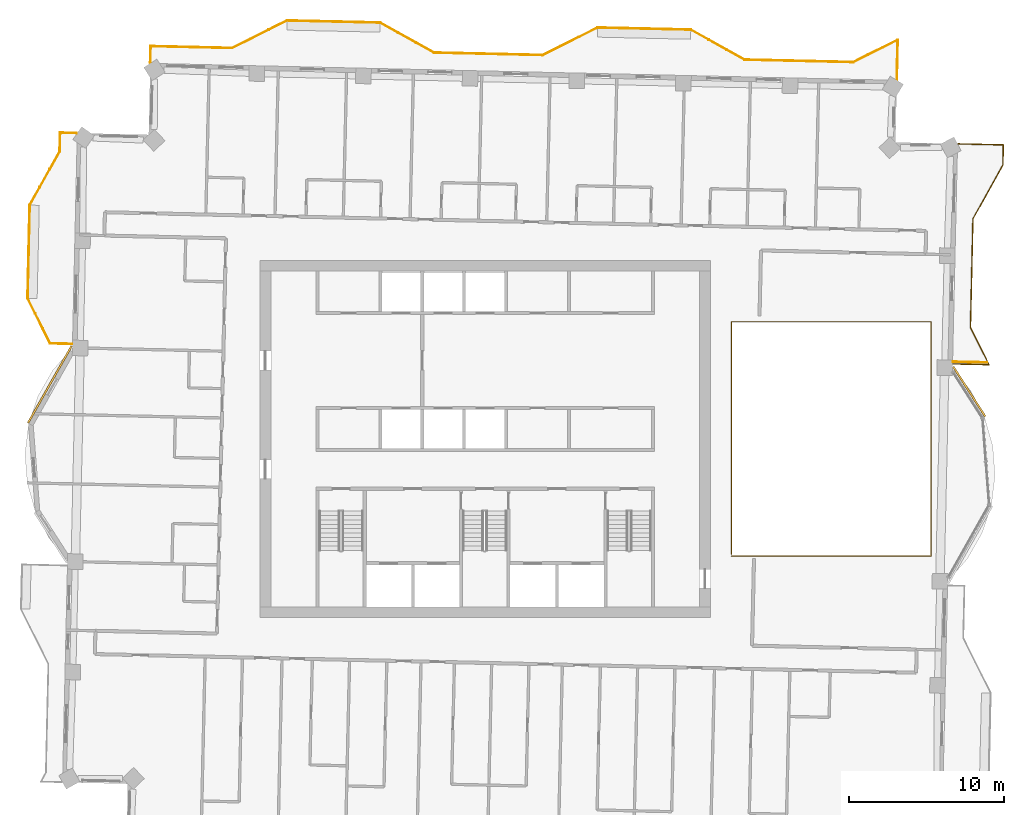
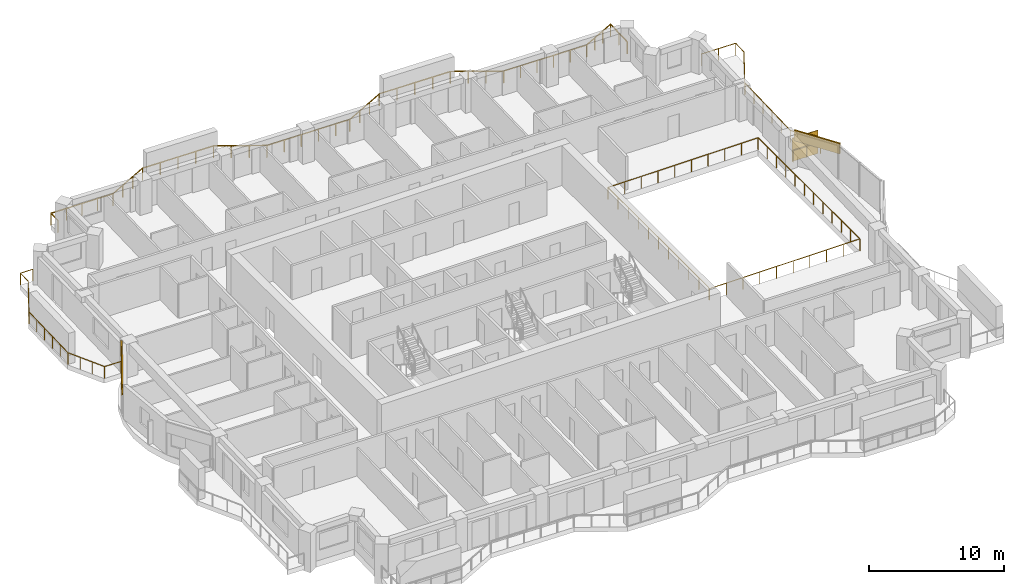
# One storey, part 17 of 17: 4 railings, 2 coverings, 1 shading device.
"""IFC4 building model written with IfcOpenShell, lengths in metres."""

from ifc_helpers import new_model, si_unit, direction, frame, frame_2d, origin, origin_2d, place, context, subcontext, project, spatial, rectangle, extrude, material, layer, layer_set, type_object, element, save


model = new_model("IFC4")

# Units and contexts
model_context = context("Model", 3, precision=1e-05, world=origin(), true_north=direction((0.0, 1.0)))
body_context = subcontext(model_context, "Body", "Model", "MODEL_VIEW")
ifc_project = project(units=[si_unit("LENGTHUNIT", "METRE"), si_unit("AREAUNIT", "SQUARE_METRE"), si_unit("VOLUMEUNIT", "CUBIC_METRE"), si_unit("PLANEANGLEUNIT", "RADIAN"), si_unit("MASSUNIT", "GRAM", prefix="KILO")], contexts=[model_context])

# Site, building, storey
site_placement = place(None, origin())
site = spatial("IfcSite", under=ifc_project, at=site_placement, CompositionType="ELEMENT")
building_placement = place(site_placement, origin())
building = spatial("IfcBuilding", under=site, at=building_placement, Name="Mangrove Gate Tower", CompositionType="ELEMENT")
storey_placement = place(building_placement, frame((0.0, 0.0, 268.10009765625)))
storey = spatial("IfcBuildingStorey", under=building, at=storey_placement, Name="L68", CompositionType="ELEMENT", Elevation=268.10009765625)

# Railings
ifc_material_1 = material(Name="Stainless steel grade 316 with laminated glass infill", Category="steel")
railing_type = type_object("IfcRailingType", Name="Balcony guard 1100", PredefinedType="GUARDRAIL", material=ifc_material_1)
railing_1_placement = place(storey_placement, frame((30.1298828125, 4.830078125, 0.0)))
element("IfcRailing", 1, at=railing_1_placement, inside=storey, type_object=railing_type, Name="GUARD L68 E2", PredefinedType="GUARDRAIL", context=body_context, shape_type="SweptSolid", body=[
    extrude(rectangle(XDim=0.048095703125, YDim=0.048095703125, at=origin_2d()), frame((0.0, 0.0, 1.076171875), z_axis=(0.9997382857, -0.022877065063, 0.0), x_axis=(0.022877065063, 0.9997382857, 0.0)), (0.0, 0.0, 1.0), 2.315673828125),
    extrude(rectangle(XDim=0.048095703125, YDim=0.048095703125, at=origin_2d()), frame((2.315185546875, -0.052978515625, 1.076171875), z_axis=(-0.447140888187, 0.894463540963, 0.0), x_axis=(-0.894463540963, -0.447140888187, 0.0)), (0.0, 0.0, 1.0), 2.686279296875),
    extrude(rectangle(XDim=0.048095703125, YDim=0.048095703125, at=origin_2d()), frame((1.114013671875, 2.349853515625, 1.076171875), z_axis=(0.022740419861, 0.999741403216, 0.0), x_axis=(-0.999741403216, 0.022740419861, 0.0)), (0.0, 0.0, 1.0), 6.999755859375),
    extrude(rectangle(XDim=0.048095703125, YDim=0.048095703125, at=origin_2d()), frame((1.273193359375, 9.347900390625, 1.076171875), z_axis=(0.48726008209, 0.87325689943, 0.0), x_axis=(-0.87325689943, 0.48726008209, 0.0)), (0.0, 0.0, 1.0), 3.958740234375),
    extrude(rectangle(XDim=0.048095703125, YDim=0.048095703125, at=origin_2d()), frame((3.2021484375, 12.804931640625, 1.076171875), z_axis=(0.0223418397, 0.999750389947, 0.0), x_axis=(-0.999750389947, 0.0223418397, 0.0)), (0.0, 0.0, 1.0), 1.30029296875),
    extrude(rectangle(XDim=0.048095703125, YDim=0.048095703125, at=origin_2d()), frame((3.231201171875, 14.10498046875, 1.076171875), z_axis=(-0.999743392495, 0.022652795902, 0.0), x_axis=(-0.022652795902, -0.999743392495, 0.0)), (0.0, 0.0, 1.0), 2.909912109375),
    extrude(rectangle(XDim=0.0419921875, YDim=0.0419921875, at=origin_2d()), origin(), (0.0, 0.0, 1.0), 1.052001953125),
    extrude(rectangle(XDim=0.0419921875, YDim=0.0419921875, at=origin_2d()), frame((1.15771484375, -0.0263671875, 0.0)), (0.0, 0.0, 1.0), 1.052001953125),
    extrude(rectangle(XDim=0.0419921875, YDim=0.0419921875, at=origin_2d()), frame((2.315185546875, -0.052978515625, 0.0)), (0.0, 0.0, 1.0), 1.052001953125),
    extrude(rectangle(XDim=0.0419921875, YDim=0.0419921875, at=origin_2d()), frame((1.714599609375, 1.1484375, 0.0)), (0.0, 0.0, 1.0), 1.052001953125),
    extrude(rectangle(XDim=0.0419921875, YDim=0.0419921875, at=origin_2d()), frame((1.114013671875, 2.349853515625, 0.0)), (0.0, 0.0, 1.0), 1.052001953125),
    extrude(rectangle(XDim=0.0419921875, YDim=0.0419921875, at=origin_2d()), frame((1.145751953125, 3.74951171875, 0.0)), (0.0, 0.0, 1.0), 1.052001953125),
    extrude(rectangle(XDim=0.0419921875, YDim=0.0419921875, at=origin_2d()), frame((1.177734375, 5.149169921875, 0.0)), (0.0, 0.0, 1.0), 1.052001953125),
    extrude(rectangle(XDim=0.0419921875, YDim=0.0419921875, at=origin_2d()), frame((1.20947265625, 6.548583984375, 0.0)), (0.0, 0.0, 1.0), 1.052001953125),
    extrude(rectangle(XDim=0.0419921875, YDim=0.0419921875, at=origin_2d()), frame((1.241455078125, 7.9482421875, 0.0)), (0.0, 0.0, 1.0), 1.052001953125),
    extrude(rectangle(XDim=0.0419921875, YDim=0.0419921875, at=origin_2d()), frame((1.273193359375, 9.347900390625, 0.0)), (0.0, 0.0, 1.0), 1.052001953125),
    extrude(rectangle(XDim=0.0419921875, YDim=0.0419921875, at=origin_2d()), frame((1.916259765625, 10.500244140625, 0.0)), (0.0, 0.0, 1.0), 1.052001953125),
    extrude(rectangle(XDim=0.0419921875, YDim=0.0419921875, at=origin_2d()), frame((2.55908203125, 11.652587890625, 0.0)), (0.0, 0.0, 1.0), 1.052001953125),
    extrude(rectangle(XDim=0.0419921875, YDim=0.0419921875, at=origin_2d()), frame((3.2021484375, 12.804931640625, 0.0)), (0.0, 0.0, 1.0), 1.052001953125),
    extrude(rectangle(XDim=0.0419921875, YDim=0.0419921875, at=origin_2d()), frame((3.231201171875, 14.10498046875, 0.0)), (0.0, 0.0, 1.0), 1.052001953125),
    extrude(rectangle(XDim=0.0419921875, YDim=0.0419921875, at=origin_2d()), frame((1.776611328125, 14.137939453125, 0.0)), (0.0, 0.0, 1.0), 1.052001953125),
    extrude(rectangle(XDim=0.0419921875, YDim=0.0419921875, at=origin_2d()), frame((0.322021484375, 14.1708984375, 0.0)), (0.0, 0.0, 1.0), 1.052001953125),
])
railing_2_placement = place(storey_placement, frame((26.5048828125, 23.131103515625, 0.0)))
element("IfcRailing", 2, at=railing_2_placement, inside=storey, type_object=railing_type, Name="GUARD L68 N1", PredefinedType="GUARDRAIL", context=body_context, shape_type="SweptSolid", body=[
    extrude(rectangle(XDim=0.048095703125, YDim=0.048095703125, at=origin_2d()), frame((0.0, 0.0, 1.076171875), z_axis=(0.022701904617, 0.999742278553, 0.0), x_axis=(-0.999742278553, 0.022701904617, 0.0)), (0.0, 0.0, 1.0), 2.5595703125),
    extrude(rectangle(XDim=0.048095703125, YDim=0.048095703125, at=origin_2d()), frame((0.05810546875, 2.558837890625, 1.076171875), z_axis=(-0.894411972924, -0.447244030357, 0.0), x_axis=(0.447244030357, -0.894411972924, 0.0)), (0.0, 0.0, 1.0), 3.208740234375),
    extrude(rectangle(XDim=0.048095703125, YDim=0.048095703125, at=origin_2d()), frame((-2.811767578125, 1.123779296875, 1.076171875), z_axis=(-0.999741403216, 0.022740419861, 0.0), x_axis=(-0.022740419861, -0.999741403216, 0.0)), (0.0, 0.0, 1.0), 6.999755859375),
    extrude(rectangle(XDim=0.048095703125, YDim=0.048095703125, at=origin_2d()), frame((-9.809814453125, 1.282958984375, 1.076171875), z_axis=(-0.87325689943, 0.48726008209, 0.0), x_axis=(-0.48726008209, -0.87325689943, 0.0)), (0.0, 0.0, 1.0), 3.958740234375),
    extrude(rectangle(XDim=0.048095703125, YDim=0.048095703125, at=origin_2d()), frame((-13.266845703125, 3.2119140625, 1.076171875), z_axis=(-0.999743094499, 0.022665943652, 0.0), x_axis=(-0.022665943652, -0.999743094499, 0.0)), (0.0, 0.0, 1.0), 5.99951171875),
    extrude(rectangle(XDim=0.048095703125, YDim=0.048095703125, at=origin_2d()), frame((-19.264892578125, 3.347900390625, 1.076171875), z_axis=(-0.894525821107, -0.447016280881, 0.0), x_axis=(0.447016280881, -0.894525821107, 0.0)), (0.0, 0.0, 1.0), 3.959716796875),
    extrude(rectangle(XDim=0.048095703125, YDim=0.048095703125, at=origin_2d()), frame((-22.806884765625, 1.577880859375, 1.076171875), z_axis=(-0.999744665362, 0.022596550164, 0.0), x_axis=(-0.022596550164, -0.999744665362, 0.0)), (0.0, 0.0, 1.0), 1.19921875),
    extrude(rectangle(XDim=0.048095703125, YDim=0.048095703125, at=origin_2d()), frame((-24.005859375, 1.60498046875, 1.076171875), z_axis=(-0.99974168342, 0.022728097884, 0.0), x_axis=(-0.022728097884, -0.99974168342, 0.0)), (0.0, 0.0, 1.0), 5.800537109375),
    extrude(rectangle(XDim=0.048095703125, YDim=0.048095703125, at=origin_2d()), frame((-29.804931640625, 1.73681640625, 1.076171875), z_axis=(-0.873230657876, 0.487307108654, 0.0), x_axis=(-0.487307108654, -0.873230657876, 0.0)), (0.0, 0.0, 1.0), 3.958984375),
    extrude(rectangle(XDim=0.048095703125, YDim=0.048095703125, at=origin_2d()), frame((-33.261962890625, 3.666015625, 1.076171875), z_axis=(-0.999743073592, 0.022666865795, 0.0), x_axis=(-0.022666865795, -0.999743073592, 0.0)), (0.0, 0.0, 1.0), 5.999267578125),
    extrude(rectangle(XDim=0.048095703125, YDim=0.048095703125, at=origin_2d()), frame((-39.259765625, 3.802001953125, 1.076171875), z_axis=(-0.894476522376, -0.447114919141, 0.0), x_axis=(0.447114919141, -0.894476522376, 0.0)), (0.0, 0.0, 1.0), 3.958740234375),
    extrude(rectangle(XDim=0.048095703125, YDim=0.048095703125, at=origin_2d()), frame((-42.80078125, 2.031982421875, 1.076171875), z_axis=(-0.999742196466, 0.022705519269, 0.0), x_axis=(-0.022705519269, -0.999742196466, 0.0)), (0.0, 0.0, 1.0), 5.236572265625),
    extrude(rectangle(XDim=0.048095703125, YDim=0.048095703125, at=origin_2d()), frame((-48.035888671875, 2.15087890625, 1.076171875), z_axis=(-0.022564497502, -0.999745389313, 0.0), x_axis=(0.999745389313, -0.022564497502, 0.0)), (0.0, 0.0, 1.0), 1.060302734375),
    extrude(rectangle(XDim=0.0419921875, YDim=0.0419921875, at=origin_2d()), origin(), (0.0, 0.0, 1.0), 1.052001953125),
    extrude(rectangle(XDim=0.0419921875, YDim=0.0419921875, at=origin_2d()), frame((0.029052734375, 1.279296875, 0.0)), (0.0, 0.0, 1.0), 1.052001953125),
    extrude(rectangle(XDim=0.0419921875, YDim=0.0419921875, at=origin_2d()), frame((0.05810546875, 2.558837890625, 0.0)), (0.0, 0.0, 1.0), 1.052001953125),
    extrude(rectangle(XDim=0.0419921875, YDim=0.0419921875, at=origin_2d()), frame((-0.8984375, 2.08056640625, 0.0)), (0.0, 0.0, 1.0), 1.052001953125),
    extrude(rectangle(XDim=0.0419921875, YDim=0.0419921875, at=origin_2d()), frame((-1.855224609375, 1.60205078125, 0.0)), (0.0, 0.0, 1.0), 1.052001953125),
    extrude(rectangle(XDim=0.0419921875, YDim=0.0419921875, at=origin_2d()), frame((-2.811767578125, 1.123779296875, 0.0)), (0.0, 0.0, 1.0), 1.052001953125),
    extrude(rectangle(XDim=0.0419921875, YDim=0.0419921875, at=origin_2d()), frame((-4.21142578125, 1.155517578125, 0.0)), (0.0, 0.0, 1.0), 1.052001953125),
    extrude(rectangle(XDim=0.0419921875, YDim=0.0419921875, at=origin_2d()), frame((-5.611083984375, 1.1875, 0.0)), (0.0, 0.0, 1.0), 1.052001953125),
    extrude(rectangle(XDim=0.0419921875, YDim=0.0419921875, at=origin_2d()), frame((-7.010498046875, 1.21923828125, 0.0)), (0.0, 0.0, 1.0), 1.052001953125),
    extrude(rectangle(XDim=0.0419921875, YDim=0.0419921875, at=origin_2d()), frame((-8.41015625, 1.251220703125, 0.0)), (0.0, 0.0, 1.0), 1.052001953125),
    extrude(rectangle(XDim=0.0419921875, YDim=0.0419921875, at=origin_2d()), frame((-9.809814453125, 1.282958984375, 0.0)), (0.0, 0.0, 1.0), 1.052001953125),
    extrude(rectangle(XDim=0.0419921875, YDim=0.0419921875, at=origin_2d()), frame((-10.962158203125, 1.926025390625, 0.0)), (0.0, 0.0, 1.0), 1.052001953125),
    extrude(rectangle(XDim=0.0419921875, YDim=0.0419921875, at=origin_2d()), frame((-12.114501953125, 2.56884765625, 0.0)), (0.0, 0.0, 1.0), 1.052001953125),
    extrude(rectangle(XDim=0.0419921875, YDim=0.0419921875, at=origin_2d()), frame((-13.266845703125, 3.2119140625, 0.0)), (0.0, 0.0, 1.0), 1.052001953125),
    extrude(rectangle(XDim=0.0419921875, YDim=0.0419921875, at=origin_2d()), frame((-14.766357421875, 3.245849609375, 0.0)), (0.0, 0.0, 1.0), 1.052001953125),
    extrude(rectangle(XDim=0.0419921875, YDim=0.0419921875, at=origin_2d()), frame((-16.265869140625, 3.27978515625, 0.0)), (0.0, 0.0, 1.0), 1.052001953125),
    extrude(rectangle(XDim=0.0419921875, YDim=0.0419921875, at=origin_2d()), frame((-17.765380859375, 3.31396484375, 0.0)), (0.0, 0.0, 1.0), 1.052001953125),
    extrude(rectangle(XDim=0.0419921875, YDim=0.0419921875, at=origin_2d()), frame((-19.264892578125, 3.347900390625, 0.0)), (0.0, 0.0, 1.0), 1.052001953125),
    extrude(rectangle(XDim=0.0419921875, YDim=0.0419921875, at=origin_2d()), frame((-20.445556640625, 2.7578125, 0.0)), (0.0, 0.0, 1.0), 1.052001953125),
    extrude(rectangle(XDim=0.0419921875, YDim=0.0419921875, at=origin_2d()), frame((-21.626220703125, 2.16796875, 0.0)), (0.0, 0.0, 1.0), 1.052001953125),
    extrude(rectangle(XDim=0.0419921875, YDim=0.0419921875, at=origin_2d()), frame((-22.806884765625, 1.577880859375, 0.0)), (0.0, 0.0, 1.0), 1.052001953125),
    extrude(rectangle(XDim=0.0419921875, YDim=0.0419921875, at=origin_2d()), frame((-24.005859375, 1.60498046875, 0.0)), (0.0, 0.0, 1.0), 1.052001953125),
    extrude(rectangle(XDim=0.0419921875, YDim=0.0419921875, at=origin_2d()), frame((-25.45556640625, 1.637939453125, 0.0)), (0.0, 0.0, 1.0), 1.052001953125),
    extrude(rectangle(XDim=0.0419921875, YDim=0.0419921875, at=origin_2d()), frame((-26.9052734375, 1.6708984375, 0.0)), (0.0, 0.0, 1.0), 1.052001953125),
    extrude(rectangle(XDim=0.0419921875, YDim=0.0419921875, at=origin_2d()), frame((-28.355224609375, 1.703857421875, 0.0)), (0.0, 0.0, 1.0), 1.052001953125),
    extrude(rectangle(XDim=0.0419921875, YDim=0.0419921875, at=origin_2d()), frame((-29.804931640625, 1.73681640625, 0.0)), (0.0, 0.0, 1.0), 1.052001953125),
    extrude(rectangle(XDim=0.0419921875, YDim=0.0419921875, at=origin_2d()), frame((-30.957275390625, 2.3798828125, 0.0)), (0.0, 0.0, 1.0), 1.052001953125),
    extrude(rectangle(XDim=0.0419921875, YDim=0.0419921875, at=origin_2d()), frame((-32.109619140625, 3.02294921875, 0.0)), (0.0, 0.0, 1.0), 1.052001953125),
    extrude(rectangle(XDim=0.0419921875, YDim=0.0419921875, at=origin_2d()), frame((-33.261962890625, 3.666015625, 0.0)), (0.0, 0.0, 1.0), 1.052001953125),
    extrude(rectangle(XDim=0.0419921875, YDim=0.0419921875, at=origin_2d()), frame((-34.761474609375, 3.699951171875, 0.0)), (0.0, 0.0, 1.0), 1.052001953125),
    extrude(rectangle(XDim=0.0419921875, YDim=0.0419921875, at=origin_2d()), frame((-36.2607421875, 3.73388671875, 0.0)), (0.0, 0.0, 1.0), 1.052001953125),
    extrude(rectangle(XDim=0.0419921875, YDim=0.0419921875, at=origin_2d()), frame((-37.76025390625, 3.76806640625, 0.0)), (0.0, 0.0, 1.0), 1.052001953125),
    extrude(rectangle(XDim=0.0419921875, YDim=0.0419921875, at=origin_2d()), frame((-39.259765625, 3.802001953125, 0.0)), (0.0, 0.0, 1.0), 1.052001953125),
    extrude(rectangle(XDim=0.0419921875, YDim=0.0419921875, at=origin_2d()), frame((-40.440185546875, 3.2119140625, 0.0)), (0.0, 0.0, 1.0), 1.052001953125),
    extrude(rectangle(XDim=0.0419921875, YDim=0.0419921875, at=origin_2d()), frame((-41.620361328125, 2.6220703125, 0.0)), (0.0, 0.0, 1.0), 1.052001953125),
    extrude(rectangle(XDim=0.0419921875, YDim=0.0419921875, at=origin_2d()), frame((-42.80078125, 2.031982421875, 0.0)), (0.0, 0.0, 1.0), 1.052001953125),
    extrude(rectangle(XDim=0.0419921875, YDim=0.0419921875, at=origin_2d()), frame((-44.109619140625, 2.061767578125, 0.0)), (0.0, 0.0, 1.0), 1.052001953125),
    extrude(rectangle(XDim=0.0419921875, YDim=0.0419921875, at=origin_2d()), frame((-45.41845703125, 2.09130859375, 0.0)), (0.0, 0.0, 1.0), 1.052001953125),
    extrude(rectangle(XDim=0.0419921875, YDim=0.0419921875, at=origin_2d()), frame((-46.72705078125, 2.12109375, 0.0)), (0.0, 0.0, 1.0), 1.052001953125),
    extrude(rectangle(XDim=0.0419921875, YDim=0.0419921875, at=origin_2d()), frame((-48.035888671875, 2.15087890625, 0.0)), (0.0, 0.0, 1.0), 1.052001953125),
    extrude(rectangle(XDim=0.0419921875, YDim=0.0419921875, at=origin_2d()), frame((-48.059814453125, 1.0908203125, 0.0)), (0.0, 0.0, 1.0), 1.052001953125),
])
railing_3_placement = place(storey_placement, frame((-26.299072265625, 19.68896484375, 0.0)))
element("IfcRailing", 3, at=railing_3_placement, inside=storey, type_object=railing_type, Name="GUARD L68 W1", PredefinedType="GUARDRAIL", context=body_context, shape_type="SweptSolid", body=[
    extrude(rectangle(XDim=0.048095703125, YDim=0.048095703125, at=origin_2d()), frame((0.0, 0.0, 1.076171875), z_axis=(-0.999765634628, 0.021648921828, 0.0), x_axis=(-0.021648921828, -0.999765634628, 0.0)), (0.0, 0.0, 1.0), 1.06005859375),
    extrude(rectangle(XDim=0.048095703125, YDim=0.048095703125, at=origin_2d()), frame((-1.059814453125, 0.02294921875, 1.076171875), z_axis=(-0.022596550164, -0.999744665362, 0.0), x_axis=(0.999744665362, -0.022596550164, 0.0)), (0.0, 0.0, 1.0), 1.19921875),
    extrude(rectangle(XDim=0.048095703125, YDim=0.048095703125, at=origin_2d()), frame((-1.0869140625, -1.176025390625, 1.076171875), z_axis=(-0.48726008209, -0.87325689943, 0.0), x_axis=(0.87325689943, -0.48726008209, 0.0)), (0.0, 0.0, 1.0), 3.958740234375),
    extrude(rectangle(XDim=0.048095703125, YDim=0.048095703125, at=origin_2d()), frame((-3.015869140625, -4.633056640625, 1.076171875), z_axis=(-0.022662255828, -0.999743178102, 0.0), x_axis=(0.999743178102, -0.022662255828, 0.0)), (0.0, 0.0, 1.0), 6.00048828125),
    extrude(rectangle(XDim=0.048095703125, YDim=0.048095703125, at=origin_2d()), frame((-3.15185546875, -10.632080078125, 1.076171875), z_axis=(0.447183557729, -0.894442209255, 0.0), x_axis=(0.894442209255, 0.447183557729, 0.0)), (0.0, 0.0, 1.0), 3.251220703125),
    extrude(rectangle(XDim=0.048095703125, YDim=0.048095703125, at=origin_2d()), frame((-1.697998046875, -13.5400390625, 1.076171875), z_axis=(0.999735451499, -0.023000587311, 0.0), x_axis=(0.023000587311, 0.999735451499, 0.0)), (0.0, 0.0, 1.0), 1.390625),
    extrude(rectangle(XDim=0.0419921875, YDim=0.0419921875, at=origin_2d()), origin(), (0.0, 0.0, 1.0), 1.052001953125),
    extrude(rectangle(XDim=0.0419921875, YDim=0.0419921875, at=origin_2d()), frame((-1.059814453125, 0.02294921875, 0.0)), (0.0, 0.0, 1.0), 1.052001953125),
    extrude(rectangle(XDim=0.0419921875, YDim=0.0419921875, at=origin_2d()), frame((-1.0869140625, -1.176025390625, 0.0)), (0.0, 0.0, 1.0), 1.052001953125),
    extrude(rectangle(XDim=0.0419921875, YDim=0.0419921875, at=origin_2d()), frame((-1.72998046875, -2.328369140625, 0.0)), (0.0, 0.0, 1.0), 1.052001953125),
    extrude(rectangle(XDim=0.0419921875, YDim=0.0419921875, at=origin_2d()), frame((-2.372802734375, -3.480712890625, 0.0)), (0.0, 0.0, 1.0), 1.052001953125),
    extrude(rectangle(XDim=0.0419921875, YDim=0.0419921875, at=origin_2d()), frame((-3.015869140625, -4.633056640625, 0.0)), (0.0, 0.0, 1.0), 1.052001953125),
    extrude(rectangle(XDim=0.0419921875, YDim=0.0419921875, at=origin_2d()), frame((-3.04296875, -5.832763671875, 0.0)), (0.0, 0.0, 1.0), 1.052001953125),
    extrude(rectangle(XDim=0.0419921875, YDim=0.0419921875, at=origin_2d()), frame((-3.0703125, -7.03271484375, 0.0)), (0.0, 0.0, 1.0), 1.052001953125),
    extrude(rectangle(XDim=0.0419921875, YDim=0.0419921875, at=origin_2d()), frame((-3.097412109375, -8.232421875, 0.0)), (0.0, 0.0, 1.0), 1.052001953125),
    extrude(rectangle(XDim=0.0419921875, YDim=0.0419921875, at=origin_2d()), frame((-3.124755859375, -9.432373046875, 0.0)), (0.0, 0.0, 1.0), 1.052001953125),
    extrude(rectangle(XDim=0.0419921875, YDim=0.0419921875, at=origin_2d()), frame((-3.15185546875, -10.632080078125, 0.0)), (0.0, 0.0, 1.0), 1.052001953125),
    extrude(rectangle(XDim=0.0419921875, YDim=0.0419921875, at=origin_2d()), frame((-2.667236328125, -11.601318359375, 0.0)), (0.0, 0.0, 1.0), 1.052001953125),
    extrude(rectangle(XDim=0.0419921875, YDim=0.0419921875, at=origin_2d()), frame((-2.1826171875, -12.57080078125, 0.0)), (0.0, 0.0, 1.0), 1.052001953125),
    extrude(rectangle(XDim=0.0419921875, YDim=0.0419921875, at=origin_2d()), frame((-1.697998046875, -13.5400390625, 0.0)), (0.0, 0.0, 1.0), 1.052001953125),
    extrude(rectangle(XDim=0.0419921875, YDim=0.0419921875, at=origin_2d()), frame((-0.307861328125, -13.572021484375, 0.0)), (0.0, 0.0, 1.0), 1.052001953125),
])
railing_4_placement = place(storey_placement, frame((15.860107421875, -7.5400390625, 0.0)))
element("IfcRailing", 4, at=railing_4_placement, inside=storey, type_object=railing_type, Name="GUARD L68 atrium", PredefinedType="GUARDRAIL", context=body_context, shape_type="SweptSolid", body=[
    extrude(rectangle(XDim=0.048095703125, YDim=0.048095703125, at=origin_2d()), frame((0.0, 0.0, 1.076171875), z_axis=(1.0, 0.0, 0.0), x_axis=(0.0, 1.0, 0.0)), (0.0, 0.0, 1.0), 12.8388671875),
    extrude(rectangle(XDim=0.048095703125, YDim=0.048095703125, at=origin_2d()), frame((12.8388671875, 0.0, 1.076171875), z_axis=(0.0, 1.0, 0.0), x_axis=(-1.0, 0.0, 0.0)), (0.0, 0.0, 1.0), 15.080078125),
    extrude(rectangle(XDim=0.048095703125, YDim=0.048095703125, at=origin_2d()), frame((12.8388671875, 15.080078125, 1.076171875), z_axis=(-1.0, 0.0, 0.0), x_axis=(0.0, -1.0, 0.0)), (0.0, 0.0, 1.0), 12.8388671875),
    extrude(rectangle(XDim=0.048095703125, YDim=0.048095703125, at=origin_2d()), frame((0.0, 15.080078125, 1.076171875), z_axis=(0.0, -1.0, 0.0), x_axis=(1.0, 0.0, 0.0)), (0.0, 0.0, 1.0), 14.9599609375),
    extrude(rectangle(XDim=0.0419921875, YDim=0.0419921875, at=origin_2d()), origin(), (0.0, 0.0, 1.0), 1.052001953125),
    extrude(rectangle(XDim=0.0419921875, YDim=0.0419921875, at=origin_2d()), frame((1.426513671875, 0.0, 0.0)), (0.0, 0.0, 1.0), 1.052001953125),
    extrude(rectangle(XDim=0.0419921875, YDim=0.0419921875, at=origin_2d()), frame((2.85302734375, 0.0, 0.0)), (0.0, 0.0, 1.0), 1.052001953125),
    extrude(rectangle(XDim=0.0419921875, YDim=0.0419921875, at=origin_2d()), frame((4.279541015625, 0.0, 0.0)), (0.0, 0.0, 1.0), 1.052001953125),
    extrude(rectangle(XDim=0.0419921875, YDim=0.0419921875, at=origin_2d()), frame((5.7060546875, 0.0, 0.0)), (0.0, 0.0, 1.0), 1.052001953125),
    extrude(rectangle(XDim=0.0419921875, YDim=0.0419921875, at=origin_2d()), frame((7.1328125, 0.0, 0.0)), (0.0, 0.0, 1.0), 1.052001953125),
    extrude(rectangle(XDim=0.0419921875, YDim=0.0419921875, at=origin_2d()), frame((8.559326171875, 0.0, 0.0)), (0.0, 0.0, 1.0), 1.052001953125),
    extrude(rectangle(XDim=0.0419921875, YDim=0.0419921875, at=origin_2d()), frame((9.98583984375, 0.0, 0.0)), (0.0, 0.0, 1.0), 1.052001953125),
    extrude(rectangle(XDim=0.0419921875, YDim=0.0419921875, at=origin_2d()), frame((11.412353515625, 0.0, 0.0)), (0.0, 0.0, 1.0), 1.052001953125),
    extrude(rectangle(XDim=0.0419921875, YDim=0.0419921875, at=origin_2d()), frame((12.8388671875, 0.0, 0.0)), (0.0, 0.0, 1.0), 1.052001953125),
    extrude(rectangle(XDim=0.0419921875, YDim=0.0419921875, at=origin_2d()), frame((12.8388671875, 1.370849609375, 0.0)), (0.0, 0.0, 1.0), 1.052001953125),
    extrude(rectangle(XDim=0.0419921875, YDim=0.0419921875, at=origin_2d()), frame((12.8388671875, 2.741943359375, 0.0)), (0.0, 0.0, 1.0), 1.052001953125),
    extrude(rectangle(XDim=0.0419921875, YDim=0.0419921875, at=origin_2d()), frame((12.8388671875, 4.11279296875, 0.0)), (0.0, 0.0, 1.0), 1.052001953125),
    extrude(rectangle(XDim=0.0419921875, YDim=0.0419921875, at=origin_2d()), frame((12.8388671875, 5.483642578125, 0.0)), (0.0, 0.0, 1.0), 1.052001953125),
    extrude(rectangle(XDim=0.0419921875, YDim=0.0419921875, at=origin_2d()), frame((12.8388671875, 6.8544921875, 0.0)), (0.0, 0.0, 1.0), 1.052001953125),
    extrude(rectangle(XDim=0.0419921875, YDim=0.0419921875, at=origin_2d()), frame((12.8388671875, 8.2255859375, 0.0)), (0.0, 0.0, 1.0), 1.052001953125),
    extrude(rectangle(XDim=0.0419921875, YDim=0.0419921875, at=origin_2d()), frame((12.8388671875, 9.596435546875, 0.0)), (0.0, 0.0, 1.0), 1.052001953125),
    extrude(rectangle(XDim=0.0419921875, YDim=0.0419921875, at=origin_2d()), frame((12.8388671875, 10.96728515625, 0.0)), (0.0, 0.0, 1.0), 1.052001953125),
    extrude(rectangle(XDim=0.0419921875, YDim=0.0419921875, at=origin_2d()), frame((12.8388671875, 12.338134765625, 0.0)), (0.0, 0.0, 1.0), 1.052001953125),
    extrude(rectangle(XDim=0.0419921875, YDim=0.0419921875, at=origin_2d()), frame((12.8388671875, 13.709228515625, 0.0)), (0.0, 0.0, 1.0), 1.052001953125),
    extrude(rectangle(XDim=0.0419921875, YDim=0.0419921875, at=origin_2d()), frame((12.8388671875, 15.080078125, 0.0)), (0.0, 0.0, 1.0), 1.052001953125),
    extrude(rectangle(XDim=0.0419921875, YDim=0.0419921875, at=origin_2d()), frame((11.412353515625, 15.080078125, 0.0)), (0.0, 0.0, 1.0), 1.052001953125),
    extrude(rectangle(XDim=0.0419921875, YDim=0.0419921875, at=origin_2d()), frame((9.98583984375, 15.080078125, 0.0)), (0.0, 0.0, 1.0), 1.052001953125),
    extrude(rectangle(XDim=0.0419921875, YDim=0.0419921875, at=origin_2d()), frame((8.559326171875, 15.080078125, 0.0)), (0.0, 0.0, 1.0), 1.052001953125),
    extrude(rectangle(XDim=0.0419921875, YDim=0.0419921875, at=origin_2d()), frame((7.1328125, 15.080078125, 0.0)), (0.0, 0.0, 1.0), 1.052001953125),
    extrude(rectangle(XDim=0.0419921875, YDim=0.0419921875, at=origin_2d()), frame((5.7060546875, 15.080078125, 0.0)), (0.0, 0.0, 1.0), 1.052001953125),
    extrude(rectangle(XDim=0.0419921875, YDim=0.0419921875, at=origin_2d()), frame((4.279541015625, 15.080078125, 0.0)), (0.0, 0.0, 1.0), 1.052001953125),
    extrude(rectangle(XDim=0.0419921875, YDim=0.0419921875, at=origin_2d()), frame((2.85302734375, 15.080078125, 0.0)), (0.0, 0.0, 1.0), 1.052001953125),
    extrude(rectangle(XDim=0.0419921875, YDim=0.0419921875, at=origin_2d()), frame((1.426513671875, 15.080078125, 0.0)), (0.0, 0.0, 1.0), 1.052001953125),
    extrude(rectangle(XDim=0.0419921875, YDim=0.0419921875, at=origin_2d()), frame((0.0, 15.080078125, 0.0)), (0.0, 0.0, 1.0), 1.052001953125),
    extrude(rectangle(XDim=0.0419921875, YDim=0.0419921875, at=origin_2d()), frame((0.0, 13.583984375, 0.0)), (0.0, 0.0, 1.0), 1.052001953125),
    extrude(rectangle(XDim=0.0419921875, YDim=0.0419921875, at=origin_2d()), frame((0.0, 12.088134765625, 0.0)), (0.0, 0.0, 1.0), 1.052001953125),
    extrude(rectangle(XDim=0.0419921875, YDim=0.0419921875, at=origin_2d()), frame((0.0, 10.592041015625, 0.0)), (0.0, 0.0, 1.0), 1.052001953125),
    extrude(rectangle(XDim=0.0419921875, YDim=0.0419921875, at=origin_2d()), frame((0.0, 9.09619140625, 0.0)), (0.0, 0.0, 1.0), 1.052001953125),
    extrude(rectangle(XDim=0.0419921875, YDim=0.0419921875, at=origin_2d()), frame((0.0, 7.60009765625, 0.0)), (0.0, 0.0, 1.0), 1.052001953125),
    extrude(rectangle(XDim=0.0419921875, YDim=0.0419921875, at=origin_2d()), frame((0.0, 6.10400390625, 0.0)), (0.0, 0.0, 1.0), 1.052001953125),
    extrude(rectangle(XDim=0.0419921875, YDim=0.0419921875, at=origin_2d()), frame((0.0, 4.608154296875, 0.0)), (0.0, 0.0, 1.0), 1.052001953125),
    extrude(rectangle(XDim=0.0419921875, YDim=0.0419921875, at=origin_2d()), frame((0.0, 3.112060546875, 0.0)), (0.0, 0.0, 1.0), 1.052001953125),
    extrude(rectangle(XDim=0.0419921875, YDim=0.0419921875, at=origin_2d()), frame((0.0, 1.6162109375, 0.0)), (0.0, 0.0, 1.0), 1.052001953125),
    extrude(rectangle(XDim=0.0419921875, YDim=0.0419921875, at=origin_2d()), frame((0.0, 0.1201171875, 0.0)), (0.0, 0.0, 1.0), 1.052001953125),
])

# Shading device
ifc_material_2 = material(Name="Timber slat screen in teak", Category="wood")
shading_device_type = type_object("IfcShadingDeviceType", Name="Balcony screen 2100", PredefinedType="USERDEFINED", material=ifc_material_2)
shading_device_placement = place(storey_placement, frame((31.2109375, 4.945068359375, -0.000244140625), z_axis=(0.0, 0.0, 1.0), x_axis=(0.999736234843, -0.022966513488, 0.0)))
element("IfcShadingDevice", 5, at=shading_device_placement, inside=storey, type_object=shading_device_type, Name="SCREEN L68 E1", ObjectType="SCREEN", PredefinedType="USERDEFINED", context=body_context, shape_type="SweptSolid", body=[
    extrude(rectangle(XDim=2.196044921875, YDim=0.050048828125, at=origin_2d()), origin(), (0.0, 0.0, 1.0), 2.10009765625),
])

# Coverings
ifc_material_3 = material(Name="Limestone", Category="masonry")
ifc_layer_1 = layer(ifc_material_3, 0.0400390625, Name="Limestone cladding")
ifc_material_4 = material(Name="Stainless steel anchors and cavity", Category="steel")
ifc_layer_2 = layer(ifc_material_4, 0.080078125, Name="Fixing cavity")
ifc_layer_set = layer_set([ifc_layer_1, ifc_layer_2], Name="Joint fascia cladding 120")
covering_type = type_object("IfcCoveringType", Name="Joint fascia cladding 120", PredefinedType="CLADDING", material=ifc_layer_set)
covering_1_placement = place(storey_placement, frame((32.195068359375, 1.447021484375, 2.099853515625), z_axis=(0.0, 0.0, 1.0), x_axis=(-0.540602448732, 0.841278189676, 0.0)))
element("IfcCovering", 6, at=covering_1_placement, inside=storey, type_object=covering_type, Name="STONE FASCIA L68 E1.L2", PredefinedType="CLADDING", context=body_context, shape_type="SweptSolid", body=[
    extrude(rectangle(XDim=3.81787109375, YDim=0.1201171875, at=frame_2d((1.908935546875, 0.0))), origin(), (0.0, 0.0, 1.0), 0.949951171875),
])
covering_2_placement = place(storey_placement, frame((-26.6201171875, 5.9931640625, 2.099853515625), z_axis=(0.0, 0.0, 1.0), x_axis=(-0.492443523438, -0.870344400926, 0.0)))
element("IfcCovering", 7, at=covering_2_placement, inside=storey, type_object=covering_type, Name="STONE FASCIA L68 W9.L1", PredefinedType="CLADDING", context=body_context, shape_type="SweptSolid", body=[
    extrude(rectangle(XDim=5.705810546875, YDim=0.1201171875, at=frame_2d((2.85302734375, 0.0))), origin(), (0.0, 0.0, 1.0), 0.949951171875),
])

save(model, "model.ifc")
